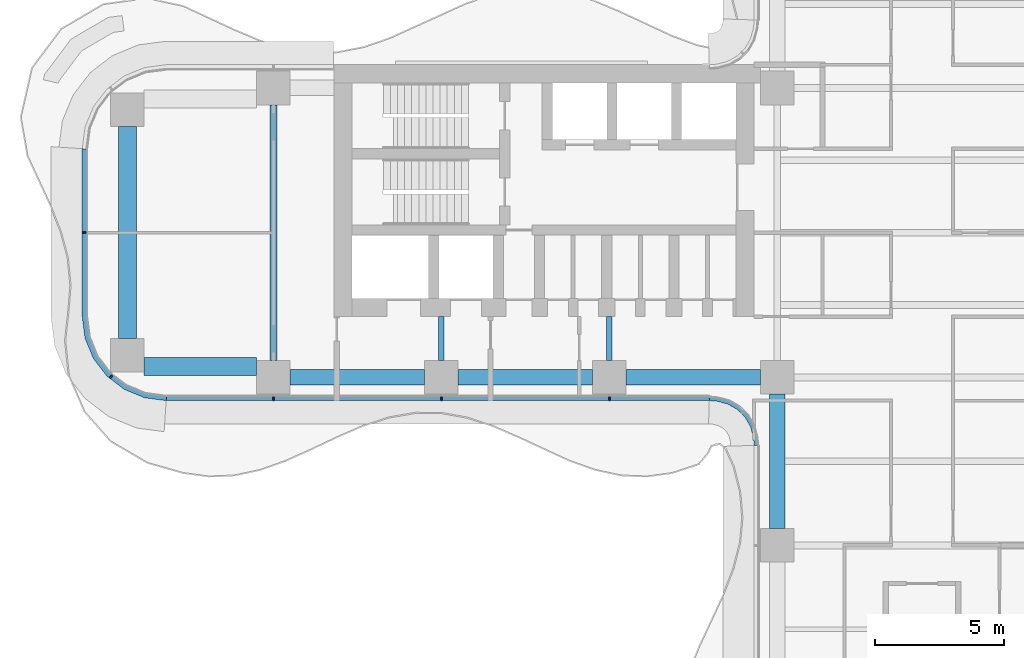
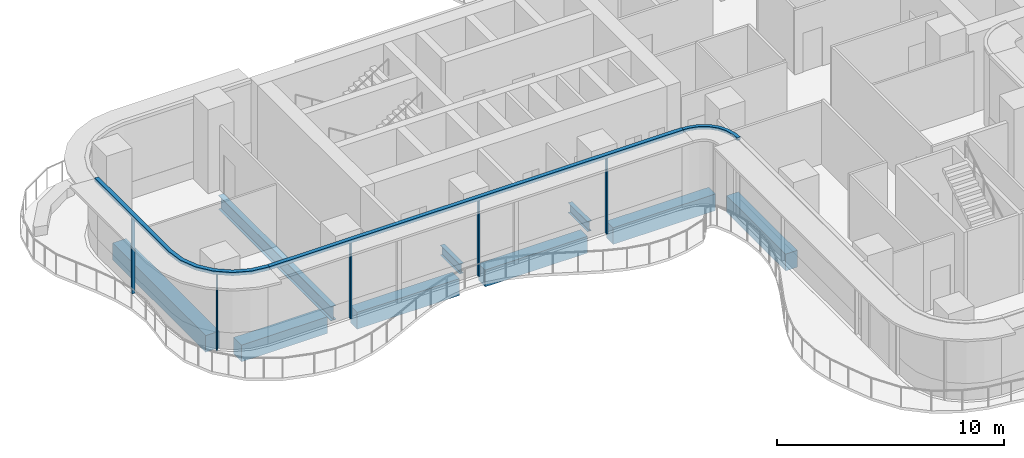
# One storey, part 3 of 21: 9 beams, 8 members, 3 elements without a shape of their own.
"""IFC4 building model written with IfcOpenShell, lengths in metres."""

from ifc_helpers import new_model, si_unit, direction, frame, origin, origin_2d, place, context, subcontext, project, spatial, polyline, rectangle, i_section, outline, extrude, source, transform, mapped, material, layer, layer_set, material_profile, profile_set, type_object, element, aggregate, save


model = new_model("IFC4")

# Units and contexts
model_context = context("Model", 3, precision=1e-05, world=origin(), true_north=direction((0.0, 1.0)))
body_context = subcontext(model_context, "Body", "Model", "MODEL_VIEW")
ifc_project = project(units=[si_unit("LENGTHUNIT", "METRE"), si_unit("AREAUNIT", "SQUARE_METRE"), si_unit("VOLUMEUNIT", "CUBIC_METRE"), si_unit("PLANEANGLEUNIT", "RADIAN"), si_unit("MASSUNIT", "GRAM", prefix="KILO")], contexts=[model_context])

# Site, building, storey
site_placement = place(None, origin())
site = spatial("IfcSite", under=ifc_project, at=site_placement, CompositionType="ELEMENT")
building_placement = place(site_placement, origin())
building = spatial("IfcBuilding", under=site, at=building_placement, Name="Trellis Farm Tower", CompositionType="ELEMENT")
storey_placement = place(building_placement, frame((0.0, 0.0, 147.0)))
storey = spatial("IfcBuildingStorey", under=building, at=storey_placement, Name="L31", CompositionType="ELEMENT", Elevation=147.0)

# Beams
ifc_material_1 = material(Name="Steel S355", Category="steel")
ifc_material_profile_1 = material_profile(ifc_material_1, i_section(OverallWidth=0.2666015625, OverallDepth=0.76220703125, WebThickness=0.014404296875, FlangeThickness=0.021484375, FilletRadius=0.0166015625, at=origin_2d()), Name="UB 762x267x173")
ifc_profile_set_1 = profile_set([ifc_material_profile_1], Name="Steel S355")
beam_type_1 = type_object("IfcBeamType", Name="UB 762x267x173", PredefinedType="BEAM", material=ifc_profile_set_1)
shared_shape_1 = source(origin(), body_context, "Body", "SweptSolid", [
    extrude(i_section(OverallWidth=0.2666015625, OverallDepth=0.76220703125, WebThickness=0.014404296875, FlangeThickness=0.021484375, FilletRadius=0.0166015625, at=origin_2d()), origin(), (0.0, 0.0, 1.0), 9.89990234375),
])
beam_1_placement = place(storey_placement, frame((-25.10009765625, -4.949951171875, -0.631103515625), z_axis=(0.0, 1.0, 0.0), x_axis=(-1.0, 0.0, 0.0)))
element("IfcBeam", 1, at=beam_1_placement, inside=storey, type_object=beam_type_1, Name="Girder", PredefinedType="BEAM", context=body_context, shape_type="MappedRepresentation", body=[
    mapped(shared_shape_1, transform((0.0, 0.0, 0.0))),
])
ifc_material_profile_2 = material_profile(ifc_material_1, i_section(OverallWidth=0.209228515625, OverallDepth=0.533203125, WebThickness=0.010009765625, FlangeThickness=0.015625, FilletRadius=0.0126953125, at=origin_2d()), Name="UB 533x210x92")
ifc_profile_set_2 = profile_set([ifc_material_profile_2], Name="Steel S355")
beam_type_2 = type_object("IfcBeamType", Name="UB 533x210x92", PredefinedType="BEAM", material=ifc_profile_set_2)
shared_shape_2 = source(origin(), body_context, "Body", "SweptSolid", [
    extrude(i_section(OverallWidth=0.209228515625, OverallDepth=0.533203125, WebThickness=0.010009765625, FlangeThickness=0.015625, FilletRadius=0.0126953125, at=origin_2d()), origin(), (0.0, 0.0, 1.0), 1.699951171875),
])
for number, where, z_axis, x_axis, name in (
    (2, (-18.60009765625, -4.949951171875, -0.5166015625), (0.0, 1.0, 0.0), (-1.0, 0.0, 0.0), "Girder"),
    (3, (-12.10009765625, -4.949951171875, -0.5166015625), (0.0, 1.0, 0.0), (-1.0, 0.0, 0.0), "Girder"),
):
    element("IfcBeam", number, at=place(storey_placement, frame(where, z_axis=z_axis, x_axis=x_axis)), inside=storey, type_object=beam_type_2, Name=name, PredefinedType="BEAM", context=body_context, shape_type="MappedRepresentation", body=[
        mapped(shared_shape_2, transform((0.0, 0.0, 0.0))),
    ])
ifc_material_2 = material(Name="Concrete C60/75", Category="concrete")
ifc_material_profile_3 = material_profile(ifc_material_2, rectangle(XDim=0.60009765625, YDim=0.89990234375, at=origin_2d()), Name="RC spandrel beam 600x900 C60/75")
ifc_profile_set_3 = profile_set([ifc_material_profile_3], Name="Concrete C60/75")
beam_type_3 = type_object("IfcBeamType", Name="RC spandrel beam 600x900 C60/75", PredefinedType="SPANDREL", material=ifc_profile_set_3)
shared_shape_3 = source(origin(), body_context, "Body", "SweptSolid", [
    extrude(rectangle(XDim=0.60009765625, YDim=0.89990234375, at=origin_2d()), origin(), (0.0, 0.0, 1.0), 5.199951171875),
])
for number, where, z_axis, x_axis, name in (
    (4, (-24.449951171875, -5.60009765625, -0.699951171875), (1.0, 0.0, 0.0), (0.0, 1.0, 0.0), "Girder"),
    (5, (-17.949951171875, -5.60009765625, -0.699951171875), (1.0, 0.0, 0.0), (0.0, 1.0, 0.0), "Girder"),
    (6, (-11.449951171875, -5.60009765625, -0.699951171875), (1.0, 0.0, 0.0), (0.0, 1.0, 0.0), "Girder"),
    (7, (-5.60009765625, -11.449951171875, -0.699951171875), (0.0, 1.0, 0.0), (-1.0, 0.0, 0.0), "Girder"),
):
    element("IfcBeam", number, at=place(storey_placement, frame(where, z_axis=z_axis, x_axis=x_axis)), inside=storey, type_object=beam_type_3, Name=name, PredefinedType="SPANDREL", context=body_context, shape_type="MappedRepresentation", body=[
        mapped(shared_shape_3, transform((0.0, 0.0, 0.0))),
    ])
ifc_material_profile_4 = material_profile(ifc_material_2, rectangle(XDim=0.699951171875, YDim=0.89990234375, at=origin_2d()), Name="RC spandrel beam 700x900 C60/75")
ifc_profile_set_4 = profile_set([ifc_material_profile_4], Name="Concrete C60/75")
beam_type_4 = type_object("IfcBeamType", Name="RC spandrel beam 700x900 C60/75", PredefinedType="SPANDREL", material=ifc_profile_set_4)
shared_shape_4 = source(origin(), body_context, "Body", "SweptSolid", [
    extrude(rectangle(XDim=0.699951171875, YDim=0.89990234375, at=origin_2d()), origin(), (0.0, 0.0, 1.0), 4.35009765625),
])
beam_2_placement = place(storey_placement, frame((-30.10009765625, -5.175048828125, -0.699951171875), z_axis=(1.0, 0.0, 0.0), x_axis=(0.0, 1.0, 0.0)))
element("IfcBeam", 8, at=beam_2_placement, inside=storey, type_object=beam_type_4, Name="Girder", PredefinedType="SPANDREL", context=body_context, shape_type="MappedRepresentation", body=[
    mapped(shared_shape_4, transform((0.0, 0.0, 0.0))),
])
shared_shape_5 = source(origin(), body_context, "Body", "SweptSolid", [
    extrude(rectangle(XDim=0.699951171875, YDim=0.89990234375, at=origin_2d()), origin(), (0.0, 0.0, 1.0), 8.2001953125),
])
beam_3_placement = place(storey_placement, frame((-30.75, -4.10009765625, -0.699951171875), z_axis=(0.0, 1.0, 0.0), x_axis=(-1.0, 0.0, 0.0)))
element("IfcBeam", 9, at=beam_3_placement, inside=storey, type_object=beam_type_4, Name="Girder", PredefinedType="SPANDREL", context=body_context, shape_type="MappedRepresentation", body=[
    mapped(shared_shape_5, transform((0.0, 0.0, 0.0))),
])

# Curtain wall, members
ifc_material_3 = material(Name="Aluminium and glass curtain wall", Category="aluminium")
ifc_layer_1 = layer(ifc_material_3, 0.18994140625)
ifc_layer_set_1 = layer_set([ifc_layer_1], Name="RIBBON CURTAIN WALL CW1")
curtain_wall_type_1 = type_object("IfcCurtainWallType", Name="RIBBON CURTAIN WALL CW1", PredefinedType="NOTDEFINED", material=ifc_layer_set_1)
placement_1 = place(storey_placement, origin())
curtain_wall_1 = element("IfcCurtainWall", 10, at=placement_1, inside=storey, type_object=curtain_wall_type_1, Name="CW1 001", PredefinedType="NOTDEFINED")
ifc_material_4 = material(Name="Aluminium extrusion 6063-T6", Category="aluminium")
ifc_material_profile_5 = material_profile(ifc_material_4, rectangle(XDim=0.06005859375, YDim=0.14990234375, at=origin_2d()), Name="MULLION 60x150")
ifc_profile_set_5 = profile_set([ifc_material_profile_5], Name="Aluminium extrusion 6063-T6")
member_type_1 = type_object("IfcMemberType", Name="CW1 MULLION 60x150", PredefinedType="MULLION", material=ifc_profile_set_5)
shared_shape_6 = source(origin(), body_context, "Body", "SweptSolid", [
    extrude(rectangle(XDim=0.06005859375, YDim=0.14990234375, at=origin_2d()), origin(), (0.0, 0.0, 1.0), 4.070068359375),
])
member_1_placement = place(storey_placement, frame((-25.10009765625, -6.425048828125, 0.0), z_axis=(0.0, 0.0, 1.0), x_axis=(1.0, 0.0, 0.0)))
member_1 = element("IfcMember", 11, at=member_1_placement, type_object=member_type_1, Name="MU1 001-01", PredefinedType="MULLION", context=body_context, shape_type="MappedRepresentation", body=[
    mapped(shared_shape_6, transform((0.0, 0.0, 0.0))),
])
member_2_placement = place(storey_placement, frame((-18.60009765625, -6.425048828125, 0.0), z_axis=(0.0, 0.0, 1.0), x_axis=(1.0, 0.0, 0.0)))
member_2 = element("IfcMember", 12, at=member_2_placement, type_object=member_type_1, Name="MU1 001-02", PredefinedType="MULLION", context=body_context, shape_type="MappedRepresentation", body=[
    mapped(shared_shape_6, transform((0.0, 0.0, 0.0))),
])
member_3_placement = place(storey_placement, frame((-12.10009765625, -6.425048828125, 0.0), z_axis=(0.0, 0.0, 1.0), x_axis=(1.0, 0.0, 0.0)))
member_3 = element("IfcMember", 13, at=member_3_placement, type_object=member_type_1, Name="MU1 001-03", PredefinedType="MULLION", context=body_context, shape_type="MappedRepresentation", body=[
    mapped(shared_shape_6, transform((0.0, 0.0, 0.0))),
])

curtain_wall_2 = element("IfcCurtainWall", 14, at=placement_1, inside=storey, type_object=curtain_wall_type_1, Name="CW1 013", PredefinedType="NOTDEFINED")
member_4_placement = place(storey_placement, frame((-32.425048828125, 0.0, 0.0), z_axis=(0.0, 0.0, 1.0), x_axis=(0.0, -1.0, 0.0)))
member_4 = element("IfcMember", 15, at=member_4_placement, type_object=member_type_1, Name="MU1 013-01", PredefinedType="MULLION", context=body_context, shape_type="MappedRepresentation", body=[
    mapped(shared_shape_6, transform((0.0, 0.0, 0.0))),
])
member_5_placement = place(storey_placement, frame((-31.385498046875, -5.578369140625, 0.0), z_axis=(0.0, 0.0, 1.0), x_axis=(0.793353340291, -0.608761429009, 0.0)))
member_5 = element("IfcMember", 16, at=member_5_placement, type_object=member_type_1, Name="MU1 013-02", PredefinedType="MULLION", context=body_context, shape_type="MappedRepresentation", body=[
    mapped(shared_shape_6, transform((0.0, 0.0, 0.0))),
])

# Member
ifc_layer_2 = layer(ifc_material_4, 0.199951171875)
ifc_layer_set_2 = layer_set([ifc_layer_2], Name="Aluminium extrusion 6063-T6")
member_type_2 = type_object("IfcMemberType", Name="CW1 TRANSOM 200x180", PredefinedType="USERDEFINED", material=ifc_layer_set_2)
shared_shape_7 = source(origin(), body_context, "Body", "SweptSolid", [
    extrude(outline(polyline([(-29.25, -6.5), (-8.2314453125, -6.5), (-8.224853515625, -6.300048828125), (-29.23681640625, -6.300048828125), (-29.25, -6.5)])), origin(), (0.0, 0.0, 1.0), 0.179931640625),
])
placement_2 = place(storey_placement, frame((0.0, 0.0, 4.070068359375)))
member_6 = element("IfcMember", 17, at=placement_2, type_object=member_type_2, Name="TR1 001", ObjectType="TRANSOM", PredefinedType="USERDEFINED", context=body_context, shape_type="MappedRepresentation", body=[
    mapped(shared_shape_7, transform((0.0, 0.0, 0.0))),
])

aggregate(curtain_wall_1, [member_1, member_2, member_3, member_6])

# Curtain wall, member
ifc_layer_3 = layer(ifc_material_3, 0.166015625)
ifc_layer_set_3 = layer_set([ifc_layer_3], Name="WINTER GARDEN CURTAIN WALL CW3")
curtain_wall_type_2 = type_object("IfcCurtainWallType", Name="WINTER GARDEN CURTAIN WALL CW3", PredefinedType="NOTDEFINED", material=ifc_layer_set_3)
curtain_wall_3 = element("IfcCurtainWall", 18, at=placement_1, inside=storey, type_object=curtain_wall_type_2, Name="CW3 001", PredefinedType="NOTDEFINED")
ifc_layer_4 = layer(ifc_material_4, 0.169921875)
ifc_layer_set_4 = layer_set([ifc_layer_4], Name="Aluminium extrusion 6063-T6")
member_type_3 = type_object("IfcMemberType", Name="CW3 TRANSOM 170x150", PredefinedType="USERDEFINED", material=ifc_layer_set_4)
shared_shape_8 = source(origin(), body_context, "Body", "SweptSolid", [
    extrude(outline(polyline([(-8.2314453125, -6.5), (-8.01953125, -6.513916015625), (-7.91552734375, -6.527587890625), (-7.508544921875, -6.63671875), (-7.144287109375, -6.846923828125), (-6.846923828125, -7.144287109375), (-6.63671875, -7.508544921875), (-6.527587890625, -7.91552734375), (-6.513916015625, -8.01953125), (-6.5, -8.2314453125), (-6.330078125, -8.225830078125), (-6.3447265625, -8.0029296875), (-6.360595703125, -7.88232421875), (-6.478271484375, -7.44287109375), (-6.7109375, -7.0400390625), (-7.0400390625, -6.7109375), (-7.44287109375, -6.478271484375), (-7.88232421875, -6.360595703125), (-8.0029296875, -6.3447265625), (-8.225830078125, -6.330078125), (-8.2314453125, -6.5)])), origin(), (0.0, 0.0, 1.0), 0.14990234375),
])
member_7_placement = place(storey_placement, frame((0.0, 0.0, 4.10009765625)))
member_7 = element("IfcMember", 19, at=member_7_placement, type_object=member_type_3, Name="TR3 001", ObjectType="TRANSOM", PredefinedType="USERDEFINED", context=body_context, shape_type="MappedRepresentation", body=[
    mapped(shared_shape_8, transform((0.0, 0.0, 0.0))),
])
aggregate(curtain_wall_3, [member_7])

# Member
shared_shape_9 = source(origin(), body_context, "Body", "SweptSolid", [
    extrude(outline(polyline([(-32.5, 3.25), (-32.5, -3.25), (-32.38916015625, -4.091064453125), (-32.064697265625, -4.875), (-31.548095703125, -5.548095703125), (-30.875, -6.064697265625), (-30.091064453125, -6.38916015625), (-29.25, -6.5), (-29.23681640625, -6.300048828125), (-30.0390625, -6.1943359375), (-30.774169921875, -5.889892578125), (-31.405517578125, -5.405517578125), (-31.889892578125, -4.774169921875), (-32.1943359375, -4.0390625), (-32.300048828125, -3.23681640625), (-32.300048828125, 3.23681640625), (-32.5, 3.25)])), origin(), (0.0, 0.0, 1.0), 0.179931640625),
])
member_8 = element("IfcMember", 20, at=placement_2, type_object=member_type_2, Name="TR1 013", ObjectType="TRANSOM", PredefinedType="USERDEFINED", context=body_context, shape_type="MappedRepresentation", body=[
    mapped(shared_shape_9, transform((0.0, 0.0, 0.0))),
])

aggregate(curtain_wall_2, [member_4, member_5, member_8])

save(model, "model.ifc")
